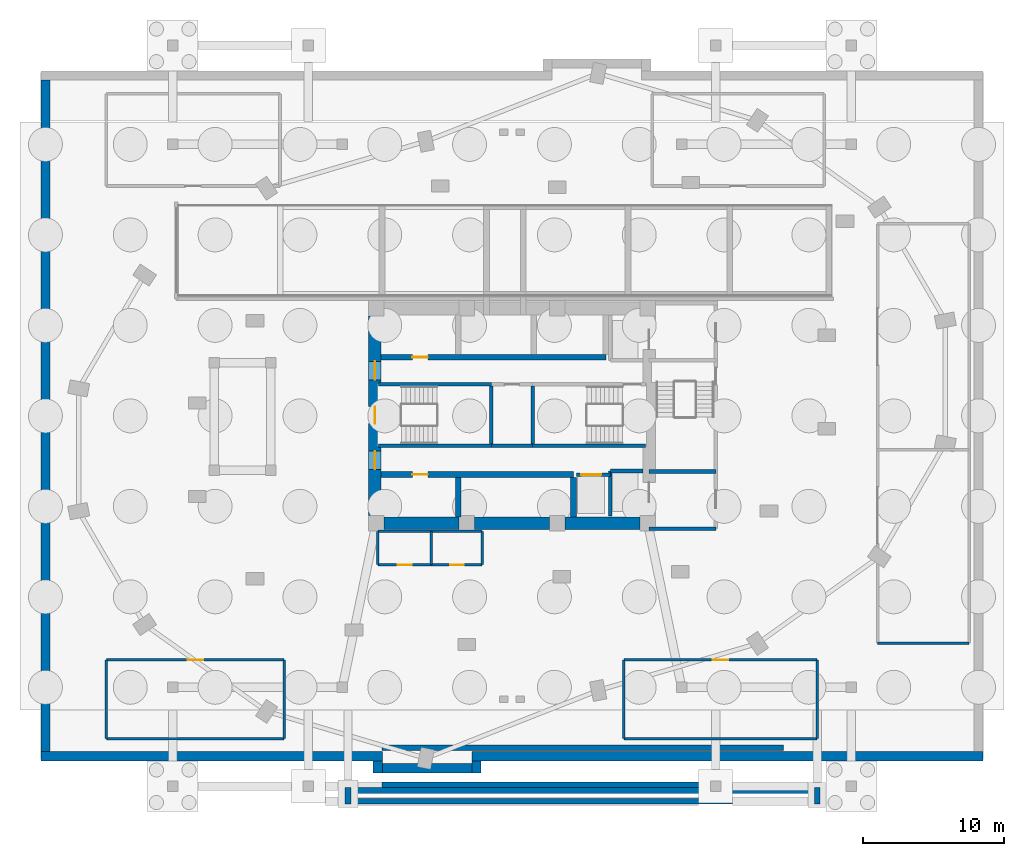
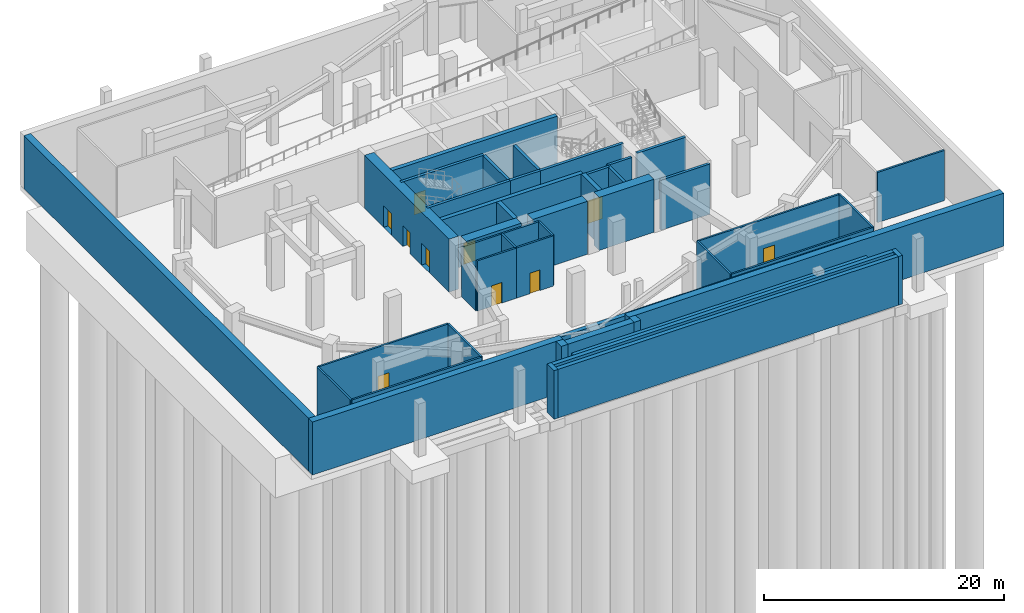
# One storey, part 3 of 8: 47 walls, 10 doors, 10 openings.
"""IFC4 building model written with IfcOpenShell, lengths in metres."""

from ifc_helpers import new_model, si_unit, direction, frame, frame_2d, origin, place, context, subcontext, project, spatial, rectangle, extrude, material, layer, layer_set, type_object, element, fill, save


model = new_model("IFC4")

# Units and contexts
model_context = context("Model", 3, precision=1e-05, world=origin(), true_north=direction((0.0, 1.0)))
body_context = subcontext(model_context, "Body", "Model", "MODEL_VIEW")
ifc_project = project(units=[si_unit("LENGTHUNIT", "METRE"), si_unit("AREAUNIT", "SQUARE_METRE"), si_unit("VOLUMEUNIT", "CUBIC_METRE"), si_unit("PLANEANGLEUNIT", "RADIAN"), si_unit("MASSUNIT", "GRAM", prefix="KILO")], contexts=[model_context])

# Site, building, storey
site_placement = place(None, origin())
site = spatial("IfcSite", under=ifc_project, at=site_placement, CompositionType="ELEMENT")
building_placement = place(site_placement, origin())
building = spatial("IfcBuilding", under=site, at=building_placement, Name="Lazwardi Medical Tower", CompositionType="ELEMENT")
storey_placement = place(building_placement, frame((0.0, 0.0, -5.39990234375)))
storey = spatial("IfcBuildingStorey", under=building, at=storey_placement, Name="B1", CompositionType="ELEMENT", Elevation=-5.39990234375)

# Wall
ifc_material_1 = material(Name="Fire-rated gypsum board on steel stud", Category="steel")
ifc_layer_1 = layer(ifc_material_1, 0.179931640625)
ifc_layer_set_1 = layer_set([ifc_layer_1], Name="Fire-rated gypsum board on steel stud")
wall_type_1 = type_object("IfcWallType", Name="WL-COR-180", PredefinedType="PARTITIONING", material=ifc_layer_set_1)
wall_1_placement = place(storey_placement, frame((61.8701171875, 11.909912109375, 0.0), z_axis=(0.0, 0.0, 1.0), x_axis=(1.0, 0.0, 0.0)))
element("IfcWall", 1, at=wall_1_placement, inside=storey, type_object=wall_type_1, Name="B1 Loading Bay wall S", PredefinedType="PARTITIONING", context=body_context, shape_type="SweptSolid", body=[
    extrude(rectangle(XDim=6.4599609375, YDim=0.179931640625, at=frame_2d((3.22998046875, 0.0))), origin(), (0.0, 0.0, 1.0), 5.119873046875),
])

# Wall, opening, door
wall_2_placement = place(storey_placement, frame((43.919921875, 10.739990234375, 0.0), z_axis=(0.0, 0.0, 1.0), x_axis=(1.0, 0.0, 0.0)))
wall_2 = element("IfcWall", 2, at=wall_2_placement, inside=storey, type_object=wall_type_1, Name="B1 Water Tank Room wall N", PredefinedType="PARTITIONING", context=body_context, shape_type="SweptSolid", body=[
    extrude(rectangle(XDim=13.66015625, YDim=0.179931640625, at=frame_2d((6.830078125, 0.0))), origin(), (0.0, 0.0, 1.0), 5.119873046875),
])
opening_1_placement = place(wall_2_placement, frame((6.280029296875, 0.0, 0.0)))
opening_1 = element("IfcOpeningElement", 3, at=opening_1_placement, cuts=wall_2, Name="Opening D-B1-016", PredefinedType="OPENING", context=body_context, shape_type="SweptSolid", body=[
    extrude(rectangle(XDim=1.10009765625, YDim=2.14990234375, at=frame_2d((0.550048828125, 1.074951171875))), frame((0.0, 0.099853515625, 0.0), z_axis=(0.0, -1.0, 0.0), x_axis=(1.0, 0.0, 0.0)), (0.0, 0.0, 1.0), 0.199951171875),
])
ifc_material_2 = material(Name="Fire-rated steel leaf and frame", Category="steel")
door_type_1 = type_object("IfcDoorType", Name="DR-PLT-1100", OperationType="NOTDEFINED", PredefinedType="DOOR", material=ifc_material_2)
door_1_placement = place(opening_1_placement, origin())
door_1 = element("IfcDoor", 4, at=door_1_placement, inside=storey, type_object=door_type_1, Name="B1 Water Tank Room Door", OperationType="SINGLE_SWING_RIGHT", OverallHeight=2.14990234375, OverallWidth=1.10009765625, PredefinedType="DOOR", context=body_context, shape_type="SweptSolid", body=[
    extrude(rectangle(XDim=1.10009765625, YDim=2.14990234375, at=frame_2d((0.550048828125, 1.074951171875))), frame((0.0, 0.02490234375, 0.0), z_axis=(0.0, -1.0, 0.0), x_axis=(1.0, 0.0, 0.0)), (0.0, 0.0, 1.0), 0.050048828125),
])
fill(opening_1, door_1)

# Walls
wall_3_placement = place(storey_placement, frame((43.919921875, 5.159912109375, 0.0), z_axis=(0.0, 0.0, 1.0), x_axis=(1.0, 0.0, 0.0)))
element("IfcWall", 5, at=wall_3_placement, inside=storey, type_object=wall_type_1, Name="B1 Water Tank Room wall S", PredefinedType="PARTITIONING", context=body_context, shape_type="SweptSolid", body=[
    extrude(rectangle(XDim=13.66015625, YDim=0.179931640625, at=frame_2d((6.830078125, 0.0))), origin(), (0.0, 0.0, 1.0), 5.119873046875),
])
for number, where, z_axis, x_axis, name in (
    (6, (57.590087890625, 5.169921875, 0.0), (0.0, 0.0, 1.0), (0.0, 1.0, 0.0), "B1 Water Tank Room wall E"),
    (7, (43.909912109375, 5.169921875, 0.0), (0.0, 0.0, 1.0), (0.0, 1.0, 0.0), "B1 Water Tank Room wall W"),
):
    element("IfcWall", number, at=place(storey_placement, frame(where, z_axis=z_axis, x_axis=x_axis)), inside=storey, type_object=wall_type_1, Name=name, PredefinedType="PARTITIONING", context=body_context, shape_type="SweptSolid", body=[
        extrude(rectangle(XDim=5.56005859375, YDim=0.179931640625, at=frame_2d((2.780029296875, 0.0))), origin(), (0.0, 0.0, 1.0), 5.119873046875),
    ])

# Wall, opening, door
wall_4_placement = place(storey_placement, frame((7.320068359375, 10.739990234375, 0.0), z_axis=(0.0, 0.0, 1.0), x_axis=(1.0, 0.0, 0.0)))
wall_4 = element("IfcWall", 8, at=wall_4_placement, inside=storey, type_object=wall_type_1, Name="B1 Pump Room wall N", PredefinedType="PARTITIONING", context=body_context, shape_type="SweptSolid", body=[
    extrude(rectangle(XDim=12.559814453125, YDim=0.179931640625, at=frame_2d((6.27978515625, 0.0))), origin(), (0.0, 0.0, 1.0), 5.119873046875),
])
opening_2_placement = place(wall_4_placement, frame((5.72998046875, 0.0, 0.0)))
opening_2 = element("IfcOpeningElement", 9, at=opening_2_placement, cuts=wall_4, Name="Opening D-B1-011", PredefinedType="OPENING", context=body_context, shape_type="SweptSolid", body=[
    extrude(rectangle(XDim=1.10009765625, YDim=2.14990234375, at=frame_2d((0.550048828125, 1.074951171875))), frame((0.0, 0.099853515625, 0.0), z_axis=(0.0, -1.0, 0.0), x_axis=(1.0, 0.0, 0.0)), (0.0, 0.0, 1.0), 0.199951171875),
])
door_2_placement = place(opening_2_placement, origin())
door_2 = element("IfcDoor", 10, at=door_2_placement, inside=storey, type_object=door_type_1, Name="B1 Pump Room Door", OperationType="SINGLE_SWING_LEFT", OverallHeight=2.14990234375, OverallWidth=1.10009765625, PredefinedType="DOOR", context=body_context, shape_type="SweptSolid", body=[
    extrude(rectangle(XDim=1.10009765625, YDim=2.14990234375, at=frame_2d((0.550048828125, 1.074951171875))), frame((0.0, 0.02490234375, 0.0), z_axis=(0.0, -1.0, 0.0), x_axis=(1.0, 0.0, 0.0)), (0.0, 0.0, 1.0), 0.050048828125),
])
fill(opening_2, door_2)

# Walls
wall_5_placement = place(storey_placement, frame((7.320068359375, 5.159912109375, 0.0), z_axis=(0.0, 0.0, 1.0), x_axis=(1.0, 0.0, 0.0)))
element("IfcWall", 11, at=wall_5_placement, inside=storey, type_object=wall_type_1, Name="B1 Pump Room wall S", PredefinedType="PARTITIONING", context=body_context, shape_type="SweptSolid", body=[
    extrude(rectangle(XDim=12.559814453125, YDim=0.179931640625, at=frame_2d((6.27978515625, 0.0))), origin(), (0.0, 0.0, 1.0), 5.119873046875),
])
for number, where, z_axis, x_axis, name in (
    (12, (19.889892578125, 5.169921875, 0.0), (0.0, 0.0, 1.0), (0.0, 1.0, 0.0), "B1 Pump Room wall E"),
    (13, (7.31005859375, 5.169921875, 0.0), (0.0, 0.0, 1.0), (0.0, 1.0, 0.0), "B1 Pump Room wall W"),
):
    element("IfcWall", number, at=place(storey_placement, frame(where, z_axis=z_axis, x_axis=x_axis)), inside=storey, type_object=wall_type_1, Name=name, PredefinedType="PARTITIONING", context=body_context, shape_type="SweptSolid", body=[
        extrude(rectangle(XDim=5.56005859375, YDim=0.179931640625, at=frame_2d((2.780029296875, 0.0))), origin(), (0.0, 0.0, 1.0), 5.119873046875),
    ])
wall_6_placement = place(storey_placement, frame((26.52001953125, 19.840087890625, 0.0), z_axis=(0.0, 0.0, 1.0), x_axis=(1.0, 0.0, 0.0)))
element("IfcWall", 14, at=wall_6_placement, inside=storey, type_object=wall_type_1, Name="B1 Accessible WC wall N", PredefinedType="PARTITIONING", context=body_context, shape_type="SweptSolid", body=[
    extrude(rectangle(XDim=3.77001953125, YDim=0.179931640625, at=frame_2d((1.885009765625, 0.0))), origin(), (0.0, 0.0, 1.0), 5.119873046875),
])

# Wall, opening, door
wall_7_placement = place(storey_placement, frame((26.52001953125, 17.4599609375, 0.0), z_axis=(0.0, 0.0, 1.0), x_axis=(1.0, 0.0, 0.0)))
wall_7 = element("IfcWall", 15, at=wall_7_placement, inside=storey, type_object=wall_type_1, Name="B1 Accessible WC wall S", PredefinedType="PARTITIONING", context=body_context, shape_type="SweptSolid", body=[
    extrude(rectangle(XDim=3.77001953125, YDim=0.179931640625, at=frame_2d((1.885009765625, 0.0))), origin(), (0.0, 0.0, 1.0), 5.119873046875),
])
opening_3_placement = place(wall_7_placement, frame((1.385009765625, 0.0, 0.0)))
opening_3 = element("IfcOpeningElement", 16, at=opening_3_placement, cuts=wall_7, Name="Opening D-B1-001", PredefinedType="OPENING", context=body_context, shape_type="SweptSolid", body=[
    extrude(rectangle(XDim=1.0, YDim=2.10009765625, at=frame_2d((0.5, 1.050048828125))), frame((0.0, 0.099853515625, 0.0), z_axis=(0.0, -1.0, 0.0), x_axis=(1.0, 0.0, 0.0)), (0.0, 0.0, 1.0), 0.199951171875),
])
ifc_material_3 = material(Name="Moisture-resistant laminate door leaf")
door_type_2 = type_object("IfcDoorType", Name="DR-AWC-1000", OperationType="NOTDEFINED", PredefinedType="DOOR", material=ifc_material_3)
door_3_placement = place(opening_3_placement, origin())
door_3 = element("IfcDoor", 17, at=door_3_placement, inside=storey, type_object=door_type_2, Name="B1 Accessible WC Door", OperationType="SINGLE_SWING_RIGHT", OverallHeight=2.10009765625, OverallWidth=1.0, PredefinedType="DOOR", context=body_context, shape_type="SweptSolid", body=[
    extrude(rectangle(XDim=1.0, YDim=2.10009765625, at=frame_2d((0.5, 1.050048828125))), frame((0.0, 0.02490234375, 0.0), z_axis=(0.0, -1.0, 0.0), x_axis=(1.0, 0.0, 0.0)), (0.0, 0.0, 1.0), 0.050048828125),
])
fill(opening_3, door_3)

# Walls
wall_8_placement = place(storey_placement, frame((30.300048828125, 17.469970703125, 0.0), z_axis=(0.0, 0.0, 1.0), x_axis=(0.0, 1.0, 0.0)))
element("IfcWall", 18, at=wall_8_placement, inside=storey, type_object=wall_type_1, Name="B1 Accessible WC wall E", PredefinedType="PARTITIONING", context=body_context, shape_type="SweptSolid", body=[
    extrude(rectangle(XDim=2.360107421875, YDim=0.179931640625, at=frame_2d((1.18017578125, 0.0))), origin(), (0.0, 0.0, 1.0), 5.119873046875),
])
wall_9_placement = place(storey_placement, frame((26.510009765625, 17.469970703125, 0.0), z_axis=(0.0, 0.0, 1.0), x_axis=(0.0, 1.0, 0.0)))
element("IfcWall", 19, at=wall_9_placement, inside=storey, type_object=wall_type_1, Name="B1 Accessible WC wall W", PredefinedType="PARTITIONING", context=body_context, shape_type="SweptSolid", body=[
    extrude(rectangle(XDim=2.360107421875, YDim=0.179931640625, at=frame_2d((1.18017578125, 0.0))), origin(), (0.0, 0.0, 1.0), 4.2548828125),
])
wall_10_placement = place(storey_placement, frame((30.31005859375, 19.840087890625, 0.0), z_axis=(0.0, 0.0, 1.0), x_axis=(1.0, 0.0, 0.0)))
element("IfcWall", 20, at=wall_10_placement, inside=storey, type_object=wall_type_1, Name="B1 Staff WC wall N", PredefinedType="PARTITIONING", context=body_context, shape_type="SweptSolid", body=[
    extrude(rectangle(XDim=3.56982421875, YDim=0.179931640625, at=frame_2d((1.784912109375, 0.0))), origin(), (0.0, 0.0, 1.0), 5.119873046875),
])

# Wall, opening, door
wall_11_placement = place(storey_placement, frame((30.31005859375, 17.4599609375, 0.0), z_axis=(0.0, 0.0, 1.0), x_axis=(1.0, 0.0, 0.0)))
wall_11 = element("IfcWall", 21, at=wall_11_placement, inside=storey, type_object=wall_type_1, Name="B1 Staff WC wall S", PredefinedType="PARTITIONING", context=body_context, shape_type="SweptSolid", body=[
    extrude(rectangle(XDim=3.56982421875, YDim=0.179931640625, at=frame_2d((1.784912109375, 0.0))), origin(), (0.0, 0.0, 1.0), 5.119873046875),
])
opening_4_placement = place(wall_11_placement, frame((1.31005859375, 0.0, 0.0)))
opening_4 = element("IfcOpeningElement", 22, at=opening_4_placement, cuts=wall_11, Name="Opening D-B1-015", PredefinedType="OPENING", context=body_context, shape_type="SweptSolid", body=[
    extrude(rectangle(XDim=0.949951171875, YDim=2.10009765625, at=frame_2d((0.47509765625, 1.050048828125))), frame((0.0, 0.099853515625, 0.0), z_axis=(0.0, -1.0, 0.0), x_axis=(1.0, 0.0, 0.0)), (0.0, 0.0, 1.0), 0.199951171875),
])
door_type_3 = type_object("IfcDoorType", Name="DR-ENS-950", OperationType="NOTDEFINED", PredefinedType="DOOR", material=ifc_material_3)
door_4_placement = place(opening_4_placement, origin())
door_4 = element("IfcDoor", 23, at=door_4_placement, inside=storey, type_object=door_type_3, Name="B1 Staff WC Door", OperationType="SINGLE_SWING_LEFT", OverallHeight=2.10009765625, OverallWidth=0.949951171875, PredefinedType="DOOR", context=body_context, shape_type="SweptSolid", body=[
    extrude(rectangle(XDim=0.949951171875, YDim=2.10009765625, at=frame_2d((0.47509765625, 1.050048828125))), frame((0.0, 0.02490234375, 0.0), z_axis=(0.0, -1.0, 0.0), x_axis=(1.0, 0.0, 0.0)), (0.0, 0.0, 1.0), 0.050048828125),
])
fill(opening_4, door_4)

# Wall
wall_12_placement = place(storey_placement, frame((33.889892578125, 17.469970703125, 0.0), z_axis=(0.0, 0.0, 1.0), x_axis=(0.0, 1.0, 0.0)))
element("IfcWall", 24, at=wall_12_placement, inside=storey, type_object=wall_type_1, Name="B1 Staff WC wall E", PredefinedType="PARTITIONING", context=body_context, shape_type="SweptSolid", body=[
    extrude(rectangle(XDim=2.360107421875, YDim=0.179931640625, at=frame_2d((1.18017578125, 0.0))), origin(), (0.0, 0.0, 1.0), 5.119873046875),
])

# Wall, openings, doors
ifc_material_4 = material(Name="Concrete C80/95", Category="concrete")
ifc_layer_2 = layer(ifc_material_4, 0.89990234375)
ifc_layer_set_2 = layer_set([ifc_layer_2], Name="Concrete C80/95")
wall_type_2 = type_object("IfcWallType", Name="WL-CORE-900", PredefinedType="SHEAR", material=ifc_layer_set_2)
wall_13_placement = place(storey_placement, frame((26.300048828125, 20.949951171875, 0.0), z_axis=(0.0, 0.0, 1.0), x_axis=(0.0, 1.0, 0.0)))
wall_13 = element("IfcWall", 25, at=wall_13_placement, inside=storey, type_object=wall_type_2, Name="Core wall CW-S1 west B1", PredefinedType="SHEAR", context=body_context, shape_type="SweptSolid", body=[
    extrude(rectangle(XDim=14.10009765625, YDim=0.89990234375, at=frame_2d((7.050048828125, 0.0))), origin(), (0.0, 0.0, 1.0), 5.39990234375),
])
opening_5_placement = place(wall_13_placement, frame((6.5, 0.0, 0.0)))
opening_5 = element("IfcOpeningElement", 26, at=opening_5_placement, cuts=wall_13, Name="Opening D-B1-012", PredefinedType="OPENING", context=body_context, shape_type="SweptSolid", body=[
    extrude(rectangle(XDim=1.199951171875, YDim=2.14990234375, at=frame_2d((0.60009765625, 1.074951171875))), frame((0.0, 0.4599609375, 0.0), z_axis=(0.0, -1.0, 0.0), x_axis=(1.0, 0.0, 0.0)), (0.0, 0.0, 1.0), 0.919921875),
])
opening_6_placement = place(wall_13_placement, frame((9.60009765625, 0.0, 0.0)))
opening_6 = element("IfcOpeningElement", 27, at=opening_6_placement, cuts=wall_13, Name="Opening D-B1-008", PredefinedType="OPENING", context=body_context, shape_type="SweptSolid", body=[
    extrude(rectangle(XDim=1.300048828125, YDim=2.199951171875, at=frame_2d((0.64990234375, 1.10009765625))), frame((0.0, 0.4599609375, 0.0), z_axis=(0.0, -1.0, 0.0), x_axis=(1.0, 0.0, 0.0)), (0.0, 0.0, 1.0), 0.919921875),
])
opening_7_placement = place(wall_13_placement, frame((3.260009765625, 0.0, 0.0)))
opening_7 = element("IfcOpeningElement", 28, at=opening_7_placement, cuts=wall_13, Name="Opening D-B1-009", PredefinedType="OPENING", context=body_context, shape_type="SweptSolid", body=[
    extrude(rectangle(XDim=1.300048828125, YDim=2.199951171875, at=frame_2d((0.64990234375, 1.10009765625))), frame((0.0, 0.4599609375, 0.0), z_axis=(0.0, -1.0, 0.0), x_axis=(1.0, 0.0, 0.0)), (0.0, 0.0, 1.0), 0.919921875),
])
door_type_4 = type_object("IfcDoorType", Name="DR-FFL-1300", OperationType="NOTDEFINED", PredefinedType="DOOR", material=ifc_material_2)
door_5_placement = place(opening_6_placement, origin())
door_5 = element("IfcDoor", 29, at=door_5_placement, inside=storey, type_object=door_type_4, Name="B1 North Lift Lobby Door", OperationType="SINGLE_SWING_LEFT", OverallHeight=2.199951171875, OverallWidth=1.300048828125, PredefinedType="DOOR", context=body_context, shape_type="SweptSolid", body=[
    extrude(rectangle(XDim=1.300048828125, YDim=2.199951171875, at=frame_2d((0.64990234375, 1.10009765625))), frame((0.0, 0.02490234375, 0.0), z_axis=(0.0, -1.0, 0.0), x_axis=(1.0, 0.0, 0.0)), (0.0, 0.0, 1.0), 0.050048828125),
])
fill(opening_6, door_5)
door_6_placement = place(opening_7_placement, origin())
door_6 = element("IfcDoor", 30, at=door_6_placement, inside=storey, type_object=door_type_4, Name="B1 South Lift Lobby Door", OperationType="SINGLE_SWING_RIGHT", OverallHeight=2.199951171875, OverallWidth=1.300048828125, PredefinedType="DOOR", context=body_context, shape_type="SweptSolid", body=[
    extrude(rectangle(XDim=1.300048828125, YDim=2.199951171875, at=frame_2d((0.64990234375, 1.10009765625))), frame((0.0, 0.02490234375, 0.0), z_axis=(0.0, -1.0, 0.0), x_axis=(1.0, 0.0, 0.0)), (0.0, 0.0, 1.0), 0.050048828125),
])
fill(opening_7, door_6)
door_type_5 = type_object("IfcDoorType", Name="DR-STR-1200", OperationType="NOTDEFINED", PredefinedType="DOOR", material=ifc_material_2)
door_7_placement = place(opening_5_placement, origin())
door_7 = element("IfcDoor", 31, at=door_7_placement, inside=storey, type_object=door_type_5, Name="B1 Exit Stair ST1 Door", OperationType="SINGLE_SWING_RIGHT", OverallHeight=2.14990234375, OverallWidth=1.199951171875, PredefinedType="DOOR", context=body_context, shape_type="SweptSolid", body=[
    extrude(rectangle(XDim=1.199951171875, YDim=2.14990234375, at=frame_2d((0.60009765625, 1.074951171875))), frame((0.0, 0.02490234375, 0.0), z_axis=(0.0, -1.0, 0.0), x_axis=(1.0, 0.0, 0.0)), (0.0, 0.0, 1.0), 0.050048828125),
])
fill(opening_5, door_7)

# Walls
wall_14_placement = place(storey_placement, frame((26.949951171875, 20.39990234375, 0.0), z_axis=(0.0, 0.0, 1.0), x_axis=(1.0, 0.0, 0.0)))
element("IfcWall", 32, at=wall_14_placement, inside=storey, type_object=wall_type_2, Name="Core wall CW-S1 S1 B1", PredefinedType="SHEAR", context=body_context, shape_type="SweptSolid", body=[
    extrude(rectangle(XDim=5.300048828125, YDim=0.89990234375, at=frame_2d((2.64990234375, 0.0))), origin(), (0.0, 0.0, 1.0), 5.39990234375),
])
wall_15_placement = place(storey_placement, frame((33.35009765625, 20.39990234375, 0.0), z_axis=(0.0, 0.0, 1.0), x_axis=(1.0, 0.0, 0.0)))
element("IfcWall", 33, at=wall_15_placement, inside=storey, type_object=wall_type_2, Name="Core wall CW-S1 S2 B1", PredefinedType="SHEAR", context=body_context, shape_type="SweptSolid", body=[
    extrude(rectangle(XDim=5.2998046875, YDim=0.89990234375, at=frame_2d((2.64990234375, 0.0))), origin(), (0.0, 0.0, 1.0), 5.39990234375),
])
wall_16_placement = place(storey_placement, frame((39.75, 20.39990234375, 0.0), z_axis=(0.0, 0.0, 1.0), x_axis=(1.0, 0.0, 0.0)))
element("IfcWall", 34, at=wall_16_placement, inside=storey, type_object=wall_type_2, Name="Core wall CW-S1 S3 B1", PredefinedType="SHEAR", context=body_context, shape_type="SweptSolid", body=[
    extrude(rectangle(XDim=5.300048828125, YDim=0.89990234375, at=frame_2d((2.64990234375, 0.0))), origin(), (0.0, 0.0, 1.0), 5.39990234375),
])

# Wall, opening, door
ifc_material_5 = material(Name="Concrete C50/60", Category="concrete")
ifc_layer_3 = layer(ifc_material_5, 0.39990234375)
ifc_layer_set_3 = layer_set([ifc_layer_3], Name="Concrete C50/60")
wall_type_3 = type_object("IfcWallType", Name="WL-PIT-400", PredefinedType="SHEAR", material=ifc_layer_set_3)
wall_17_placement = place(storey_placement, frame((26.739990234375, 32.14990234375, 0.0), z_axis=(0.0, 0.0, 1.0), x_axis=(1.0, 0.0, 0.0)))
wall_17 = element("IfcWall", 35, at=wall_17_placement, inside=storey, type_object=wall_type_3, Name="Lift pit wall PW-01 north main", PredefinedType="SHEAR", context=body_context, shape_type="SweptSolid", body=[
    extrude(rectangle(XDim=15.909912109375, YDim=0.39990234375, at=frame_2d((7.955078125, 0.0))), origin(), (0.0, 0.0, 1.0), 5.39990234375),
])
opening_8_placement = place(wall_17_placement, frame((2.2099609375, 0.0, 0.0)))
opening_8 = element("IfcOpeningElement", 36, at=opening_8_placement, cuts=wall_17, Name="Opening D-B1-002", PredefinedType="OPENING", context=body_context, shape_type="SweptSolid", body=[
    extrude(rectangle(XDim=1.10009765625, YDim=2.14990234375, at=frame_2d((0.550048828125, 1.074951171875))), frame((0.0, 0.2099609375, 0.0), z_axis=(0.0, -1.0, 0.0), x_axis=(1.0, 0.0, 0.0)), (0.0, 0.0, 1.0), 0.419921875),
])
door_8_placement = place(opening_8_placement, origin())
door_8 = element("IfcDoor", 37, at=door_8_placement, inside=storey, type_object=door_type_1, Name="B1 Linen Store Door", OperationType="SINGLE_SWING_LEFT", OverallHeight=2.14990234375, OverallWidth=1.10009765625, PredefinedType="DOOR", context=body_context, shape_type="SweptSolid", body=[
    extrude(rectangle(XDim=1.10009765625, YDim=2.14990234375, at=frame_2d((0.550048828125, 1.074951171875))), frame((0.0, 0.02490234375, 0.0), z_axis=(0.0, -1.0, 0.0), x_axis=(1.0, 0.0, 0.0)), (0.0, 0.0, 1.0), 0.050048828125),
])
fill(opening_8, door_8)

wall_18_placement = place(storey_placement, frame((26.739990234375, 23.85009765625, 0.0), z_axis=(0.0, 0.0, 1.0), x_axis=(1.0, 0.0, 0.0)))
wall_18 = element("IfcWall", 38, at=wall_18_placement, inside=storey, type_object=wall_type_3, Name="Lift pit wall PW-01 south main", PredefinedType="SHEAR", context=body_context, shape_type="SweptSolid", body=[
    extrude(rectangle(XDim=13.610107421875, YDim=0.39990234375, at=frame_2d((6.80517578125, 0.0))), origin(), (0.0, 0.0, 1.0), 5.39990234375),
])
opening_9_placement = place(wall_18_placement, frame((2.2099609375, 0.0, 0.0)))
opening_9 = element("IfcOpeningElement", 39, at=opening_9_placement, cuts=wall_18, Name="Opening D-B1-003", PredefinedType="OPENING", context=body_context, shape_type="SweptSolid", body=[
    extrude(rectangle(XDim=1.10009765625, YDim=2.14990234375, at=frame_2d((0.550048828125, 1.074951171875))), frame((0.0, 0.2099609375, 0.0), z_axis=(0.0, -1.0, 0.0), x_axis=(1.0, 0.0, 0.0)), (0.0, 0.0, 1.0), 0.419921875),
])
door_9_placement = place(opening_9_placement, origin())
door_9 = element("IfcDoor", 40, at=door_9_placement, inside=storey, type_object=door_type_1, Name="B1 Biomedical Store Door", OperationType="SINGLE_SWING_RIGHT", OverallHeight=2.14990234375, OverallWidth=1.10009765625, PredefinedType="DOOR", context=body_context, shape_type="SweptSolid", body=[
    extrude(rectangle(XDim=1.10009765625, YDim=2.14990234375, at=frame_2d((0.550048828125, 1.074951171875))), frame((0.0, 0.02490234375, 0.0), z_axis=(0.0, -1.0, 0.0), x_axis=(1.0, 0.0, 0.0)), (0.0, 0.0, 1.0), 0.050048828125),
])
fill(opening_9, door_9)

# Walls
for number, where, z_axis, x_axis, name in (
    (41, (32.199951171875, 20.85009765625, 0.0), (0.0, 0.0, 1.0), (0.0, 1.0, 0.0), "Lift pit wall PW-01 south bank divider 1"),
    (42, (40.35009765625, 20.85009765625, 0.0), (0.0, 0.0, 1.0), (0.0, 1.0, 0.0), "Lift pit wall PW-01 south end closure"),
):
    element("IfcWall", number, at=place(storey_placement, frame(where, z_axis=z_axis, x_axis=x_axis)), inside=storey, type_object=wall_type_3, Name=name, PredefinedType="SHEAR", context=body_context, shape_type="SweptSolid", body=[
        extrude(rectangle(XDim=2.7998046875, YDim=0.39990234375, at=frame_2d((1.39990234375, 0.0))), origin(), (0.0, 0.0, 1.0), 5.39990234375),
    ])
for number, where, z_axis, x_axis, name in (
    (43, (24.199951171875, 1.5, 0.0), (0.0, 0.0, 1.0), (1.0, 0.0, 0.0), "South drop-off apron north stem wall PW-01"),
    (44, (24.199951171875, 0.75, 0.0), (0.0, 0.0, 1.0), (1.0, 0.0, 0.0), "South drop-off apron south stem wall PW-01"),
):
    element("IfcWall", number, at=place(storey_placement, frame(where, z_axis=z_axis, x_axis=x_axis)), inside=storey, type_object=wall_type_3, Name=name, PredefinedType="SHEAR", context=body_context, shape_type="SweptSolid", body=[
        extrude(rectangle(XDim=33.60009765625, YDim=0.39990234375, at=frame_2d((16.800048828125, 0.0))), origin(), (0.0, 0.0, 1.0), 4.9599609375),
    ])
for number, where, z_axis, x_axis, name in (
    (45, (24.39990234375, 0.550048828125, 0.0), (0.0, 0.0, 1.0), (0.0, 1.0, 0.0), "South drop-off apron west stem wall PW-01"),
    (46, (57.60009765625, 0.550048828125, 0.0), (0.0, 0.0, 1.0), (0.0, 1.0, 0.0), "South drop-off apron east stem wall PW-01"),
):
    element("IfcWall", number, at=place(storey_placement, frame(where, z_axis=z_axis, x_axis=x_axis)), inside=storey, type_object=wall_type_3, Name=name, PredefinedType="SHEAR", context=body_context, shape_type="SweptSolid", body=[
        extrude(rectangle(XDim=1.14990234375, YDim=0.39990234375, at=frame_2d((0.574951171875, 0.0))), origin(), (0.0, 0.0, 1.0), 4.9599609375),
    ])
wall_19_placement = place(storey_placement, frame((26.800048828125, 1.919921875, 0.0), z_axis=(0.0, 0.0, 1.0), x_axis=(1.0, 0.0, 0.0)))
element("IfcWall", 47, at=wall_19_placement, inside=storey, type_object=wall_type_3, Name="Pedestrian ramp foot bearing wall PW-01", PredefinedType="SHEAR", context=body_context, shape_type="SweptSolid", body=[
    extrude(rectangle(XDim=28.39990234375, YDim=0.39990234375, at=frame_2d((14.199951171875, 0.0))), origin(), (0.0, 0.0, 1.0), 4.89990234375),
])
wall_20_placement = place(storey_placement, frame((26.800048828125, 4.52001953125, 0.0), z_axis=(0.0, 0.0, 1.0), x_axis=(1.0, 0.0, 0.0)))
element("IfcWall", 48, at=wall_20_placement, inside=storey, type_object=wall_type_3, Name="Pedestrian ramp head bearing wall PW-01", PredefinedType="SHEAR", context=body_context, shape_type="SweptSolid", body=[
    extrude(rectangle(XDim=28.39990234375, YDim=0.39990234375, at=frame_2d((14.199951171875, 0.0))), origin(), (0.0, 0.0, 1.0), 5.099853515625),
])
ifc_layer_4 = layer(ifc_material_5, 0.64990234375)
ifc_layer_set_4 = layer_set([ifc_layer_4], Name="Concrete C50/60")
wall_type_4 = type_object("IfcWallType", Name="WL-RET-650", PredefinedType="SHEAR", material=ifc_layer_set_4)
wall_21_placement = place(storey_placement, frame((2.675048828125, 3.925048828125, 0.0), z_axis=(0.0, 0.0, 1.0), x_axis=(1.0, 0.0, 0.0)))
element("IfcWall", 49, at=wall_21_placement, inside=storey, type_object=wall_type_4, Name="Basement retaining wall RW-01 south west", PredefinedType="SHEAR", context=body_context, shape_type="SweptSolid", body=[
    extrude(rectangle(XDim=24.14990234375, YDim=0.64990234375, at=frame_2d((12.074951171875, 0.0))), origin(), (0.0, 0.0, 1.0), 5.39990234375),
])
wall_22_placement = place(storey_placement, frame((26.5, 3.60009765625, 0.0), z_axis=(0.0, 0.0, 1.0), x_axis=(0.0, -1.0, 0.0)))
element("IfcWall", 50, at=wall_22_placement, inside=storey, type_object=wall_type_4, Name="Basement retaining wall RW-01 south step west", PredefinedType="SHEAR", context=body_context, shape_type="SweptSolid", body=[
    extrude(rectangle(XDim=0.85009765625, YDim=0.64990234375, at=frame_2d((0.425048828125, 0.0))), origin(), (0.0, 0.0, 1.0), 5.39990234375),
])
wall_23_placement = place(storey_placement, frame((26.824951171875, 3.074951171875, 0.0), z_axis=(0.0, 0.0, 1.0), x_axis=(1.0, 0.0, 0.0)))
element("IfcWall", 51, at=wall_23_placement, inside=storey, type_object=wall_type_4, Name="Basement retaining wall RW-01 south central", PredefinedType="SHEAR", context=body_context, shape_type="SweptSolid", body=[
    extrude(rectangle(XDim=6.35009765625, YDim=0.64990234375, at=frame_2d((3.175048828125, 0.0))), origin(), (0.0, 0.0, 1.0), 5.39990234375),
])
wall_24_placement = place(storey_placement, frame((33.5, 2.75, 0.0), z_axis=(0.0, 0.0, 1.0), x_axis=(0.0, 1.0, 0.0)))
element("IfcWall", 52, at=wall_24_placement, inside=storey, type_object=wall_type_4, Name="Basement retaining wall RW-01 south step east", PredefinedType="SHEAR", context=body_context, shape_type="SweptSolid", body=[
    extrude(rectangle(XDim=0.85009765625, YDim=0.64990234375, at=frame_2d((0.425048828125, 0.0))), origin(), (0.0, 0.0, 1.0), 5.39990234375),
])
wall_25_placement = place(storey_placement, frame((33.175048828125, 3.925048828125, 0.0), z_axis=(0.0, 0.0, 1.0), x_axis=(1.0, 0.0, 0.0)))
element("IfcWall", 53, at=wall_25_placement, inside=storey, type_object=wall_type_4, Name="Basement retaining wall RW-01 south east", PredefinedType="SHEAR", context=body_context, shape_type="SweptSolid", body=[
    extrude(rectangle(XDim=36.14990234375, YDim=0.64990234375, at=frame_2d((18.074951171875, 0.0))), origin(), (0.0, 0.0, 1.0), 5.39990234375),
])
wall_26_placement = place(storey_placement, frame((3.0, 4.25, 0.0), z_axis=(0.0, 0.0, 1.0), x_axis=(0.0, 1.0, 0.0)))
element("IfcWall", 54, at=wall_26_placement, inside=storey, type_object=wall_type_4, Name="Basement retaining wall RW-01 west", PredefinedType="SHEAR", context=body_context, shape_type="SweptSolid", body=[
    extrude(rectangle(XDim=47.5, YDim=0.64990234375, at=frame_2d((23.75, 0.0))), origin(), (0.0, 0.0, 1.0), 5.39990234375),
])

# Wall, opening, door
ifc_material_6 = material(Name="Autoclaved aerated concrete blockwork", Category="masonry")
ifc_layer_5 = layer(ifc_material_6, 0.25)
ifc_layer_set_5 = layer_set([ifc_layer_5], Name="Autoclaved aerated concrete blockwork")
wall_type_5 = type_object("IfcWallType", Name="WL-SHAFT-250", PredefinedType="SOLIDWALL", material=ifc_layer_set_5)
wall_27_placement = place(storey_placement, frame((40.550048828125, 23.830078125, 0.0), z_axis=(0.0, 0.0, 1.0), x_axis=(1.0, 0.0, 0.0)))
wall_27 = element("IfcWall", 55, at=wall_27_placement, inside=storey, type_object=wall_type_5, Name="B1 FL-03 front shaft wall", PredefinedType="SOLIDWALL", context=body_context, shape_type="SweptSolid", body=[
    extrude(rectangle(XDim=2.39990234375, YDim=0.25, at=frame_2d((1.199951171875, 0.0))), origin(), (0.0, 0.0, 1.0), 5.119873046875),
])
opening_10_placement = place(wall_27_placement, frame((0.35009765625, 0.0, 0.0)))
opening_10 = element("IfcOpeningElement", 56, at=opening_10_placement, cuts=wall_27, Name="Opening LD-B1-003", PredefinedType="OPENING", context=body_context, shape_type="SweptSolid", body=[
    extrude(rectangle(XDim=1.39990234375, YDim=2.300048828125, at=frame_2d((0.699951171875, 1.14990234375))), frame((0.0, 0.135009765625, 0.0), z_axis=(0.0, -1.0, 0.0), x_axis=(1.0, 0.0, 0.0)), (0.0, 0.0, 1.0), 0.27001953125),
])
ifc_material_7 = material(Name="Brushed stainless steel bed-lift landing door", Category="steel")
door_type_6 = type_object("IfcDoorType", Name="DR-LFT-1400", OperationType="NOTDEFINED", PredefinedType="DOOR", material=ifc_material_7)
door_10_placement = place(opening_10_placement, origin())
door_10 = element("IfcDoor", 57, at=door_10_placement, inside=storey, type_object=door_type_6, Name="B1 Lift Landing Door FL-03", OperationType="SLIDING_TO_LEFT", OverallHeight=2.300048828125, OverallWidth=1.39990234375, PredefinedType="DOOR", context=body_context, shape_type="SweptSolid", body=[
    extrude(rectangle(XDim=1.39990234375, YDim=2.300048828125, at=frame_2d((0.699951171875, 1.14990234375))), frame((0.0, 0.02490234375, 0.0), z_axis=(0.0, -1.0, 0.0), x_axis=(1.0, 0.0, 0.0)), (0.0, 0.0, 1.0), 0.050048828125),
])
fill(opening_10, door_10)

# Walls
wall_28_placement = place(storey_placement, frame((42.949951171875, 20.89990234375, 0.0), z_axis=(0.0, 0.0, 1.0), x_axis=(0.0, 1.0, 0.0)))
element("IfcWall", 58, at=wall_28_placement, inside=storey, type_object=wall_type_5, Name="B1 FL-02 West shaft wall", PredefinedType="SOLIDWALL", context=body_context, shape_type="SweptSolid", body=[
    extrude(rectangle(XDim=3.2001953125, YDim=0.25, at=frame_2d((1.60009765625, 0.0))), origin(), (0.0, 0.0, 1.0), 5.119873046875),
])
wall_29_placement = place(storey_placement, frame((42.949951171875, 24.10009765625, 0.0), z_axis=(0.0, 0.0, 1.0), x_axis=(1.0, 0.0, 0.0)))
element("IfcWall", 59, at=wall_29_placement, inside=storey, type_object=wall_type_5, Name="B1 FL-02 North shaft wall", PredefinedType="SOLIDWALL", context=body_context, shape_type="SweptSolid", body=[
    extrude(rectangle(XDim=2.300048828125, YDim=0.25, at=frame_2d((1.14990234375, 0.0))), origin(), (0.0, 0.0, 1.0), 5.119873046875),
])
wall_30_placement = place(storey_placement, frame((45.699951171875, 20.02001953125, 0.0), z_axis=(0.0, 0.0, 1.0), x_axis=(1.0, 0.0, 0.0)))
element("IfcWall", 60, at=wall_30_placement, inside=storey, type_object=wall_type_5, Name="B1 FFL-S South wall", PredefinedType="SOLIDWALL", context=body_context, shape_type="SweptSolid", body=[
    extrude(rectangle(XDim=4.715087890625, YDim=0.25, at=frame_2d((2.357421875, 0.0))), origin(), (0.0, 0.0, 1.0), 5.119873046875),
])
ifc_layer_6 = layer(ifc_material_5, 0.27001953125)
ifc_layer_set_6 = layer_set([ifc_layer_6], Name="Concrete C50/60")
wall_type_6 = type_object("IfcWallType", Name="WL-STR-250", PredefinedType="SHEAR", material=ifc_layer_set_6)
for number, where, z_axis, x_axis, name in (
    (61, (26.550048828125, 30.235107421875, 0.0), (0.0, 0.0, 1.0), (1.0, 0.0, 0.0), "B1 ST1 North shear shaft wall SW-S1"),
    (62, (26.550048828125, 25.885009765625, 0.0), (0.0, 0.0, 1.0), (1.0, 0.0, 0.0), "B1 ST1 South shear shaft wall SW-S1"),
):
    element("IfcWall", number, at=place(storey_placement, frame(where, z_axis=z_axis, x_axis=x_axis)), inside=storey, type_object=wall_type_6, Name=name, PredefinedType="SHEAR", context=body_context, shape_type="SweptSolid", body=[
        extrude(rectangle(XDim=7.98486328125, YDim=0.27001953125, at=frame_2d((3.992431640625, 0.0))), origin(), (0.0, 0.0, 1.0), 5.39990234375),
    ])
wall_31_placement = place(storey_placement, frame((34.534912109375, 25.885009765625, 0.0), z_axis=(0.0, 0.0, 1.0), x_axis=(1.0, 0.0, 0.0)))
element("IfcWall", 63, at=wall_31_placement, inside=storey, type_object=wall_type_6, Name="B1 Core service South shear wall SW-S1", PredefinedType="SHEAR", context=body_context, shape_type="SweptSolid", body=[
    extrude(rectangle(XDim=2.93017578125, YDim=0.27001953125, at=frame_2d((1.465087890625, 0.0))), origin(), (0.0, 0.0, 1.0), 5.39990234375),
])
wall_32_placement = place(storey_placement, frame((37.465087890625, 25.885009765625, 0.0), z_axis=(0.0, 0.0, 1.0), x_axis=(1.0, 0.0, 0.0)))
element("IfcWall", 64, at=wall_32_placement, inside=storey, type_object=wall_type_6, Name="B1 ST2 South shear shaft wall SW-S1", PredefinedType="SHEAR", context=body_context, shape_type="SweptSolid", body=[
    extrude(rectangle(XDim=7.98486328125, YDim=0.27001953125, at=frame_2d((3.992431640625, 0.0))), origin(), (0.0, 0.0, 1.0), 5.39990234375),
])
for number, where, z_axis, x_axis, name in (
    (65, (34.534912109375, 26.02001953125, 0.0), (0.0, 0.0, 1.0), (0.0, 1.0, 0.0), "B1 ST1 East shear shaft wall SW-S1"),
    (66, (37.465087890625, 26.02001953125, 0.0), (0.0, 0.0, 1.0), (0.0, 1.0, 0.0), "B1 ST2 West shear shaft wall SW-S1"),
):
    element("IfcWall", number, at=place(storey_placement, frame(where, z_axis=z_axis, x_axis=x_axis)), inside=storey, type_object=wall_type_6, Name=name, PredefinedType="SHEAR", context=body_context, shape_type="SweptSolid", body=[
        extrude(rectangle(XDim=4.080078125, YDim=0.27001953125, at=frame_2d((2.0400390625, 0.0))), origin(), (0.0, 0.0, 1.0), 5.39990234375),
    ])
wall_33_placement = place(storey_placement, frame((45.699951171875, 24.06494140625, 0.0), z_axis=(0.0, 0.0, 1.0), x_axis=(1.0, 0.0, 0.0)))
element("IfcWall", 67, at=wall_33_placement, inside=storey, type_object=wall_type_6, Name="B1 ST3 South shear shaft wall SW-S1", PredefinedType="SHEAR", context=body_context, shape_type="SweptSolid", body=[
    extrude(rectangle(XDim=4.715087890625, YDim=0.27001953125, at=frame_2d((2.357421875, 0.0))), origin(), (0.0, 0.0, 1.0), 5.39990234375),
])

save(model, "model.ifc")
